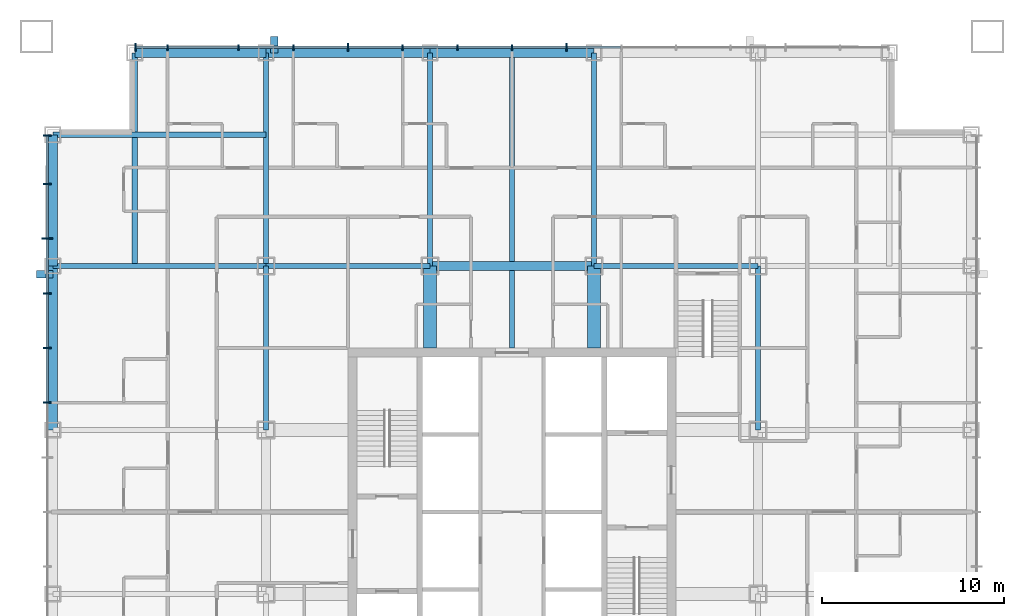
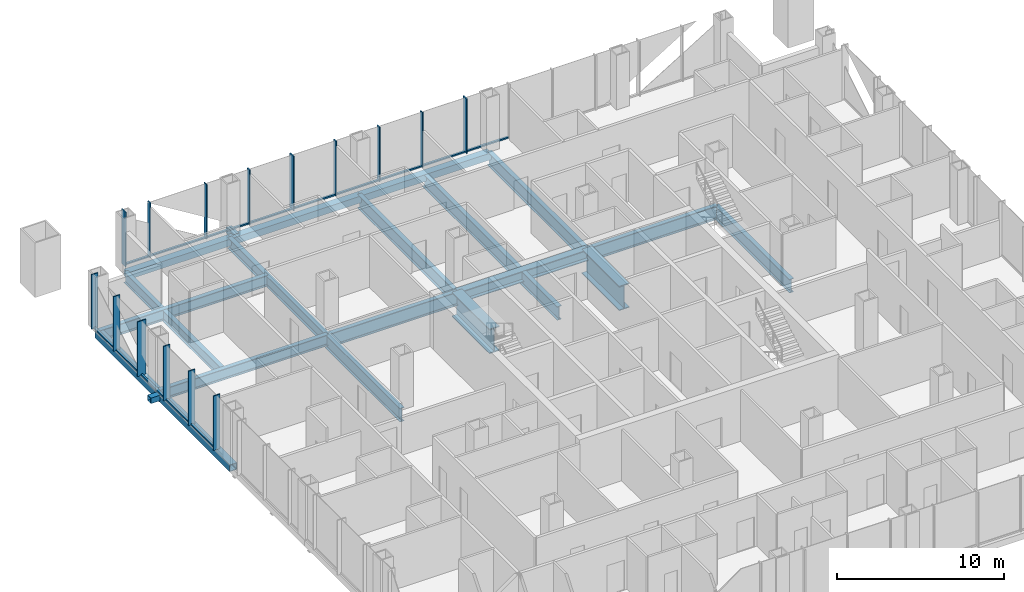
# One storey, part 4 of 17: 31 members, 19 beams, 2 elements without a shape of their own.
"""IFC4 building model written with IfcOpenShell, lengths in metres."""

from ifc_helpers import new_model, si_unit, direction, frame, origin, origin_2d, place, context, subcontext, project, spatial, rectangle, hollow_rectangle, i_section, extrude, material, layer, layer_set, material_profile, profile_set, type_object, element, aggregate, save


model = new_model("IFC4")

# Units and contexts
model_context = context("Model", 3, precision=1e-05, world=origin(), true_north=direction((0.0, 1.0)))
body_context = subcontext(model_context, "Body", "Model", "MODEL_VIEW")
ifc_project = project(units=[si_unit("LENGTHUNIT", "METRE"), si_unit("AREAUNIT", "SQUARE_METRE"), si_unit("VOLUMEUNIT", "CUBIC_METRE"), si_unit("PLANEANGLEUNIT", "RADIAN"), si_unit("MASSUNIT", "GRAM", prefix="KILO")], contexts=[model_context])

# Site, building, storey
site_placement = place(None, origin())
site = spatial("IfcSite", under=ifc_project, at=site_placement, CompositionType="ELEMENT")
building_placement = place(site_placement, origin())
building = spatial("IfcBuilding", under=site, at=building_placement, Name="Malebo Sky Hospital", CompositionType="ELEMENT")
storey_placement = place(building_placement, frame((0.0, 0.0, 55.0)))
storey = spatial("IfcBuildingStorey", under=building, at=storey_placement, Name="L12", CompositionType="ELEMENT", Elevation=55.0)

# Curtain wall, members
ifc_material_1 = material(Name="Anodised aluminium, natural silver", Category="aluminium")
ifc_layer_1 = layer(ifc_material_1, 0.25)
ifc_layer_set_1 = layer_set([ifc_layer_1], Name="WARD CURTAIN WALL NORTH AND SOUTH")
curtain_wall_type_1 = type_object("IfcCurtainWallType", Name="WARD CURTAIN WALL NORTH AND SOUTH", PredefinedType="NOTDEFINED", material=ifc_layer_set_1)
curtain_wall_1_placement = place(storey_placement, origin())
curtain_wall_1 = element("IfcCurtainWall", 1, at=curtain_wall_1_placement, inside=storey, type_object=curtain_wall_type_1, Name="NS curtain wall N", PredefinedType="NOTDEFINED")
ifc_material_profile_1 = material_profile(ifc_material_1, rectangle(XDim=0.14990234375, YDim=0.10009765625, at=origin_2d()), Name="ALUMINIUM TRANSOM 150x100")
ifc_profile_set_1 = profile_set([ifc_material_profile_1], Name="Anodised aluminium, natural silver")
member_type_1 = type_object("IfcMemberType", Name="ALUMINIUM TRANSOM 150x100", PredefinedType="USERDEFINED", material=ifc_profile_set_1)
member_1_placement = place(storey_placement, frame((39.375, 87.5, 0.050048828125), z_axis=(1.0, 0.0, 0.0), x_axis=(0.0, 1.0, 0.0)))
member_1 = element("IfcMember", 2, at=member_1_placement, type_object=member_type_1, Name="Transom 1", ObjectType="TRANSOM", PredefinedType="USERDEFINED", context=body_context, shape_type="SweptSolid", body=[
    extrude(rectangle(XDim=0.14990234375, YDim=0.10009765625, at=origin_2d()), origin(), (0.0, 0.0, 1.0), 1.6875),
])
member_2_placement = place(storey_placement, frame((41.137451171875, 87.5, 0.050048828125), z_axis=(1.0, 0.0, 0.0), x_axis=(0.0, 1.0, 0.0)))
member_2 = element("IfcMember", 3, at=member_2_placement, type_object=member_type_1, Name="Transom 2", ObjectType="TRANSOM", PredefinedType="USERDEFINED", context=body_context, shape_type="SweptSolid", body=[
    extrude(rectangle(XDim=0.14990234375, YDim=0.10009765625, at=origin_2d()), origin(), (0.0, 0.0, 1.0), 3.824951171875),
])
member_3_placement = place(storey_placement, frame((45.03759765625, 87.5, 0.050048828125), z_axis=(1.0, 0.0, 0.0), x_axis=(0.0, 1.0, 0.0)))
member_3 = element("IfcMember", 4, at=member_3_placement, type_object=member_type_1, Name="Transom 3", ObjectType="TRANSOM", PredefinedType="USERDEFINED", context=body_context, shape_type="SweptSolid", body=[
    extrude(rectangle(XDim=0.14990234375, YDim=0.10009765625, at=origin_2d()), origin(), (0.0, 0.0, 1.0), 2.9248046875),
])
member_4_placement = place(storey_placement, frame((48.03759765625, 87.5, 0.050048828125), z_axis=(1.0, 0.0, 0.0), x_axis=(0.0, 1.0, 0.0)))
member_4 = element("IfcMember", 5, at=member_4_placement, type_object=member_type_1, Name="Transom 4", ObjectType="TRANSOM", PredefinedType="USERDEFINED", context=body_context, shape_type="SweptSolid", body=[
    extrude(rectangle(XDim=0.14990234375, YDim=0.10009765625, at=origin_2d()), origin(), (0.0, 0.0, 1.0), 2.9248046875),
])
member_5_placement = place(storey_placement, frame((51.03759765625, 87.5, 0.050048828125), z_axis=(1.0, 0.0, 0.0), x_axis=(0.0, 1.0, 0.0)))
member_5 = element("IfcMember", 6, at=member_5_placement, type_object=member_type_1, Name="Transom 5", ObjectType="TRANSOM", PredefinedType="USERDEFINED", context=body_context, shape_type="SweptSolid", body=[
    extrude(rectangle(XDim=0.14990234375, YDim=0.10009765625, at=origin_2d()), origin(), (0.0, 0.0, 1.0), 2.9248046875),
])
member_6_placement = place(storey_placement, frame((54.03759765625, 87.5, 0.050048828125), z_axis=(1.0, 0.0, 0.0), x_axis=(0.0, 1.0, 0.0)))
member_6 = element("IfcMember", 7, at=member_6_placement, type_object=member_type_1, Name="Transom 6", ObjectType="TRANSOM", PredefinedType="USERDEFINED", context=body_context, shape_type="SweptSolid", body=[
    extrude(rectangle(XDim=0.14990234375, YDim=0.10009765625, at=origin_2d()), origin(), (0.0, 0.0, 1.0), 2.9248046875),
])
member_7_placement = place(storey_placement, frame((57.03759765625, 87.5, 0.050048828125), z_axis=(1.0, 0.0, 0.0), x_axis=(0.0, 1.0, 0.0)))
member_7 = element("IfcMember", 8, at=member_7_placement, type_object=member_type_1, Name="Transom 7", ObjectType="TRANSOM", PredefinedType="USERDEFINED", context=body_context, shape_type="SweptSolid", body=[
    extrude(rectangle(XDim=0.14990234375, YDim=0.10009765625, at=origin_2d()), origin(), (0.0, 0.0, 1.0), 2.9248046875),
])
member_8_placement = place(storey_placement, frame((60.03759765625, 87.5, 0.050048828125), z_axis=(1.0, 0.0, 0.0), x_axis=(0.0, 1.0, 0.0)))
member_8 = element("IfcMember", 9, at=member_8_placement, type_object=member_type_1, Name="Transom 8", ObjectType="TRANSOM", PredefinedType="USERDEFINED", context=body_context, shape_type="SweptSolid", body=[
    extrude(rectangle(XDim=0.14990234375, YDim=0.10009765625, at=origin_2d()), origin(), (0.0, 0.0, 1.0), 2.9248046875),
])
member_9_placement = place(storey_placement, frame((63.03759765625, 87.5, 0.050048828125), z_axis=(1.0, 0.0, 0.0), x_axis=(0.0, 1.0, 0.0)))
member_9 = element("IfcMember", 10, at=member_9_placement, type_object=member_type_1, Name="Transom 9", ObjectType="TRANSOM", PredefinedType="USERDEFINED", context=body_context, shape_type="SweptSolid", body=[
    extrude(rectangle(XDim=0.14990234375, YDim=0.10009765625, at=origin_2d()), origin(), (0.0, 0.0, 1.0), 2.9248046875),
])

ifc_layer_2 = layer(ifc_material_1, 0.25)
ifc_layer_set_2 = layer_set([ifc_layer_2], Name="WARD CURTAIN WALL EAST AND WEST")
curtain_wall_type_2 = type_object("IfcCurtainWallType", Name="WARD CURTAIN WALL EAST AND WEST", PredefinedType="NOTDEFINED", material=ifc_layer_set_2)
curtain_wall_2_placement = place(storey_placement, origin())
curtain_wall_2 = element("IfcCurtainWall", 11, at=curtain_wall_2_placement, inside=storey, type_object=curtain_wall_type_2, Name="EW curtain wall W", PredefinedType="NOTDEFINED")
member_10_placement = place(storey_placement, frame((34.5, 68.03759765625, 0.050048828125), z_axis=(0.0, 1.0, 0.0), x_axis=(-1.0, 0.0, 0.0)))
member_10 = element("IfcMember", 12, at=member_10_placement, type_object=member_type_1, Name="Transom 10", ObjectType="TRANSOM", PredefinedType="USERDEFINED", context=body_context, shape_type="SweptSolid", body=[
    extrude(rectangle(XDim=0.14990234375, YDim=0.10009765625, at=origin_2d()), origin(), (0.0, 0.0, 1.0), 2.9248046875),
])
member_11_placement = place(storey_placement, frame((34.5, 71.03759765625, 0.050048828125), z_axis=(0.0, 1.0, 0.0), x_axis=(-1.0, 0.0, 0.0)))
member_11 = element("IfcMember", 13, at=member_11_placement, type_object=member_type_1, Name="Transom 11", ObjectType="TRANSOM", PredefinedType="USERDEFINED", context=body_context, shape_type="SweptSolid", body=[
    extrude(rectangle(XDim=0.14990234375, YDim=0.10009765625, at=origin_2d()), origin(), (0.0, 0.0, 1.0), 2.9248046875),
])
member_12_placement = place(storey_placement, frame((34.5, 74.03759765625, 0.050048828125), z_axis=(0.0, 1.0, 0.0), x_axis=(-1.0, 0.0, 0.0)))
member_12 = element("IfcMember", 14, at=member_12_placement, type_object=member_type_1, Name="Transom 12", ObjectType="TRANSOM", PredefinedType="USERDEFINED", context=body_context, shape_type="SweptSolid", body=[
    extrude(rectangle(XDim=0.14990234375, YDim=0.10009765625, at=origin_2d()), origin(), (0.0, 0.0, 1.0), 2.9248046875),
])
member_13_placement = place(storey_placement, frame((34.5, 77.03759765625, 0.050048828125), z_axis=(0.0, 1.0, 0.0), x_axis=(-1.0, 0.0, 0.0)))
member_13 = element("IfcMember", 15, at=member_13_placement, type_object=member_type_1, Name="Transom 13", ObjectType="TRANSOM", PredefinedType="USERDEFINED", context=body_context, shape_type="SweptSolid", body=[
    extrude(rectangle(XDim=0.14990234375, YDim=0.10009765625, at=origin_2d()), origin(), (0.0, 0.0, 1.0), 2.9248046875),
])
member_14_placement = place(storey_placement, frame((34.5, 80.03759765625, 0.050048828125), z_axis=(0.0, 1.0, 0.0), x_axis=(-1.0, 0.0, 0.0)))
member_14 = element("IfcMember", 16, at=member_14_placement, type_object=member_type_1, Name="Transom 14", ObjectType="TRANSOM", PredefinedType="USERDEFINED", context=body_context, shape_type="SweptSolid", body=[
    extrude(rectangle(XDim=0.14990234375, YDim=0.10009765625, at=origin_2d()), origin(), (0.0, 0.0, 1.0), 2.58740234375),
])

# Members
ifc_material_2 = material(Name="Steel S355", Category="steel")
ifc_material_profile_2 = material_profile(ifc_material_2, hollow_rectangle(XDim=0.39990234375, YDim=0.39990234375, WallThickness=0.02001953125, at=origin_2d()), Name="SHS 400x20")
ifc_profile_set_2 = profile_set([ifc_material_profile_2], Name="Steel S355")
member_type_2 = type_object("IfcMemberType", Name="BRACE STRUT SHS 400x20", PredefinedType="STRUT", material=ifc_profile_set_2)
for number, where, z_axis, x_axis, name in (
    (17, (46.949951171875, 88.10009765625, -0.39990234375), (0.0, -1.0, 0.0), (1.0, 0.0, 0.0), "Brace strut AN1 L12"),
    (18, (33.89990234375, 75.050048828125, -0.39990234375), (1.0, 0.0, 0.0), (0.0, 1.0, 0.0), "Brace strut AW2 L12"),
):
    element("IfcMember", number, at=place(storey_placement, frame(where, z_axis=z_axis, x_axis=x_axis)), inside=storey, type_object=member_type_2, Name=name, PredefinedType="STRUT", context=body_context, shape_type="SweptSolid", body=[
        extrude(hollow_rectangle(XDim=0.39990234375, YDim=0.39990234375, WallThickness=0.02001953125, at=origin_2d()), origin(), (0.0, 0.0, 1.0), 0.900146484375),
    ])

# Member
ifc_material_profile_3 = material_profile(ifc_material_1, rectangle(XDim=0.074951171875, YDim=0.300048828125, at=origin_2d()), Name="CW1 ALUMINIUM FIN MULLION 75x300")
ifc_profile_set_3 = profile_set([ifc_material_profile_3], Name="Anodised aluminium, natural silver")
member_type_3 = type_object("IfcMemberType", Name="CW1 ALUMINIUM FIN MULLION 75x300", PredefinedType="MULLION", material=ifc_profile_set_3)
member_15_placement = place(storey_placement, frame((41.10009765625, 87.5, 0.0), z_axis=(0.0, 0.0, 1.0), x_axis=(1.0, 0.0, 0.0)))
member_15 = element("IfcMember", 19, at=member_15_placement, type_object=member_type_3, Name="Fin mullion 2", PredefinedType="MULLION", context=body_context, shape_type="SweptSolid", body=[
    extrude(rectangle(XDim=0.074951171875, YDim=0.300048828125, at=origin_2d()), origin(), (0.0, 0.0, 1.0), 4.0),
])

member_16_placement = place(storey_placement, frame((45.0, 87.5, 0.0), z_axis=(0.0, 0.0, 1.0), x_axis=(1.0, 0.0, 0.0)))
member_16 = element("IfcMember", 20, at=member_16_placement, type_object=member_type_3, Name="Fin mullion 3", PredefinedType="MULLION", context=body_context, shape_type="SweptSolid", body=[
    extrude(rectangle(XDim=0.074951171875, YDim=0.300048828125, at=origin_2d()), origin(), (0.0, 0.0, 1.0), 4.0),
])

member_17_placement = place(storey_placement, frame((48.0, 87.5, 0.0), z_axis=(0.0, 0.0, 1.0), x_axis=(1.0, 0.0, 0.0)))
member_17 = element("IfcMember", 21, at=member_17_placement, type_object=member_type_3, Name="Fin mullion 4", PredefinedType="MULLION", context=body_context, shape_type="SweptSolid", body=[
    extrude(rectangle(XDim=0.074951171875, YDim=0.300048828125, at=origin_2d()), origin(), (0.0, 0.0, 1.0), 4.0),
])

member_18_placement = place(storey_placement, frame((54.0, 87.5, 0.0), z_axis=(0.0, 0.0, 1.0), x_axis=(1.0, 0.0, 0.0)))
member_18 = element("IfcMember", 22, at=member_18_placement, type_object=member_type_3, Name="Fin mullion 6", PredefinedType="MULLION", context=body_context, shape_type="SweptSolid", body=[
    extrude(rectangle(XDim=0.074951171875, YDim=0.300048828125, at=origin_2d()), origin(), (0.0, 0.0, 1.0), 4.0),
])

member_19_placement = place(storey_placement, frame((57.0, 87.5, 0.0), z_axis=(0.0, 0.0, 1.0), x_axis=(1.0, 0.0, 0.0)))
member_19 = element("IfcMember", 23, at=member_19_placement, type_object=member_type_3, Name="Fin mullion 7", PredefinedType="MULLION", context=body_context, shape_type="SweptSolid", body=[
    extrude(rectangle(XDim=0.074951171875, YDim=0.300048828125, at=origin_2d()), origin(), (0.0, 0.0, 1.0), 4.0),
])

member_20_placement = place(storey_placement, frame((60.0, 87.5, 0.0), z_axis=(0.0, 0.0, 1.0), x_axis=(1.0, 0.0, 0.0)))
member_20 = element("IfcMember", 24, at=member_20_placement, type_object=member_type_3, Name="Fin mullion 8", PredefinedType="MULLION", context=body_context, shape_type="SweptSolid", body=[
    extrude(rectangle(XDim=0.074951171875, YDim=0.300048828125, at=origin_2d()), origin(), (0.0, 0.0, 1.0), 4.0),
])

ifc_material_profile_4 = material_profile(ifc_material_1, rectangle(XDim=0.074951171875, YDim=0.449951171875, at=origin_2d()), Name="CW1 ALUMINIUM FIN MULLION 75x450")
ifc_profile_set_4 = profile_set([ifc_material_profile_4], Name="Anodised aluminium, natural silver")
member_type_4 = type_object("IfcMemberType", Name="CW1 ALUMINIUM FIN MULLION 75x450", PredefinedType="MULLION", material=ifc_profile_set_4)
member_21_placement = place(storey_placement, frame((39.33740234375, 87.5, 0.0), z_axis=(0.0, 0.0, 1.0), x_axis=(1.0, 0.0, 0.0)))
member_21 = element("IfcMember", 25, at=member_21_placement, type_object=member_type_4, Name="Fin mullion 1", PredefinedType="MULLION", context=body_context, shape_type="SweptSolid", body=[
    extrude(rectangle(XDim=0.074951171875, YDim=0.449951171875, at=origin_2d()), origin(), (0.0, 0.0, 1.0), 4.0),
])

member_22_placement = place(storey_placement, frame((51.0, 87.5, 0.0), z_axis=(0.0, 0.0, 1.0), x_axis=(1.0, 0.0, 0.0)))
member_22 = element("IfcMember", 26, at=member_22_placement, type_object=member_type_4, Name="Fin mullion 5", PredefinedType="MULLION", context=body_context, shape_type="SweptSolid", body=[
    extrude(rectangle(XDim=0.074951171875, YDim=0.449951171875, at=origin_2d()), origin(), (0.0, 0.0, 1.0), 4.0),
])

member_23_placement = place(storey_placement, frame((63.0, 87.5, 0.0), z_axis=(0.0, 0.0, 1.0), x_axis=(1.0, 0.0, 0.0)))
member_23 = element("IfcMember", 27, at=member_23_placement, type_object=member_type_4, Name="Fin mullion 9", PredefinedType="MULLION", context=body_context, shape_type="SweptSolid", body=[
    extrude(rectangle(XDim=0.074951171875, YDim=0.449951171875, at=origin_2d()), origin(), (0.0, 0.0, 1.0), 4.0),
])

aggregate(curtain_wall_1, [member_21, member_15, member_16, member_17, member_22, member_18, member_19, member_20, member_23, member_1, member_2, member_3, member_4, member_5, member_6, member_7, member_8, member_9])

ifc_material_profile_5 = material_profile(ifc_material_1, rectangle(XDim=0.074951171875, YDim=0.449951171875, at=origin_2d()), Name="CW2 ALUMINIUM FIN MULLION 75x450")
ifc_profile_set_5 = profile_set([ifc_material_profile_5], Name="Anodised aluminium, natural silver")
member_type_5 = type_object("IfcMemberType", Name="CW2 ALUMINIUM FIN MULLION 75x450", PredefinedType="MULLION", material=ifc_profile_set_5)
member_24_placement = place(storey_placement, frame((34.5, 68.0, 0.0), z_axis=(0.0, 0.0, 1.0), x_axis=(0.0, 1.0, 0.0)))
member_24 = element("IfcMember", 28, at=member_24_placement, type_object=member_type_5, Name="Fin mullion 10", PredefinedType="MULLION", context=body_context, shape_type="SweptSolid", body=[
    extrude(rectangle(XDim=0.074951171875, YDim=0.449951171875, at=origin_2d()), origin(), (0.0, 0.0, 1.0), 4.0),
])

member_25_placement = place(storey_placement, frame((34.5, 71.0, 0.0), z_axis=(0.0, 0.0, 1.0), x_axis=(0.0, 1.0, 0.0)))
member_25 = element("IfcMember", 29, at=member_25_placement, type_object=member_type_5, Name="Fin mullion 11", PredefinedType="MULLION", context=body_context, shape_type="SweptSolid", body=[
    extrude(rectangle(XDim=0.074951171875, YDim=0.449951171875, at=origin_2d()), origin(), (0.0, 0.0, 1.0), 4.0),
])

member_26_placement = place(storey_placement, frame((34.5, 74.0, 0.0), z_axis=(0.0, 0.0, 1.0), x_axis=(0.0, 1.0, 0.0)))
member_26 = element("IfcMember", 30, at=member_26_placement, type_object=member_type_5, Name="Fin mullion 12", PredefinedType="MULLION", context=body_context, shape_type="SweptSolid", body=[
    extrude(rectangle(XDim=0.074951171875, YDim=0.449951171875, at=origin_2d()), origin(), (0.0, 0.0, 1.0), 4.0),
])

member_27_placement = place(storey_placement, frame((34.5, 80.0, 0.0), z_axis=(0.0, 0.0, 1.0), x_axis=(0.0, 1.0, 0.0)))
member_27 = element("IfcMember", 31, at=member_27_placement, type_object=member_type_5, Name="Fin mullion 14", PredefinedType="MULLION", context=body_context, shape_type="SweptSolid", body=[
    extrude(rectangle(XDim=0.074951171875, YDim=0.449951171875, at=origin_2d()), origin(), (0.0, 0.0, 1.0), 4.0),
])

member_28_placement = place(storey_placement, frame((34.5, 82.66259765625, 0.0), z_axis=(0.0, 0.0, 1.0), x_axis=(0.0, 1.0, 0.0)))
member_28 = element("IfcMember", 32, at=member_28_placement, type_object=member_type_5, Name="Fin mullion 15", PredefinedType="MULLION", context=body_context, shape_type="SweptSolid", body=[
    extrude(rectangle(XDim=0.074951171875, YDim=0.449951171875, at=origin_2d()), origin(), (0.0, 0.0, 1.0), 4.0),
])

ifc_material_profile_6 = material_profile(ifc_material_1, rectangle(XDim=0.074951171875, YDim=0.60009765625, at=origin_2d()), Name="CW2 ALUMINIUM FIN MULLION 75x600")
ifc_profile_set_6 = profile_set([ifc_material_profile_6], Name="Anodised aluminium, natural silver")
member_type_6 = type_object("IfcMemberType", Name="CW2 ALUMINIUM FIN MULLION 75x600", PredefinedType="MULLION", material=ifc_profile_set_6)
member_29_placement = place(storey_placement, frame((34.5, 77.0, 0.0), z_axis=(0.0, 0.0, 1.0), x_axis=(0.0, 1.0, 0.0)))
member_29 = element("IfcMember", 33, at=member_29_placement, type_object=member_type_6, Name="Fin mullion 13", PredefinedType="MULLION", context=body_context, shape_type="SweptSolid", body=[
    extrude(rectangle(XDim=0.074951171875, YDim=0.60009765625, at=origin_2d()), origin(), (0.0, 0.0, 1.0), 4.0),
])

aggregate(curtain_wall_2, [member_24, member_25, member_26, member_29, member_27, member_28, member_10, member_11, member_12, member_13, member_14])

# Beams
ifc_material_3 = material(Name="Steel S460", Category="steel")
ifc_material_profile_7 = material_profile(ifc_material_3, hollow_rectangle(XDim=0.5, YDim=0.5, WallThickness=0.030029296875, at=origin_2d()), Name="BOX 500x500x30")
ifc_profile_set_7 = profile_set([ifc_material_profile_7], Name="Steel S460")
beam_type_1 = type_object("IfcBeamType", Name="EDGE BEAM BOX 500x500x30", PredefinedType="BEAM", material=ifc_profile_set_7)
beam_1_placement = place(storey_placement, frame((34.800048828125, 66.5, -0.5), z_axis=(0.0, 1.0, 0.0), x_axis=(-1.0, 0.0, 0.0)))
element("IfcBeam", 34, at=beam_1_placement, inside=storey, type_object=beam_type_1, Name="Beam 003 L12", PredefinedType="BEAM", context=body_context, shape_type="SweptSolid", body=[
    extrude(hollow_rectangle(XDim=0.5, YDim=0.5, WallThickness=0.030029296875, at=origin_2d()), origin(), (0.0, 0.0, 1.0), 9.0),
])
for number, where, z_axis, x_axis, name in (
    (35, (34.800048828125, 75.5, -0.5), (0.0, 1.0, 0.0), (-1.0, 0.0, 0.0), "Beam 004 L12"),
    (36, (39.300048828125, 87.199951171875, -0.5), (1.0, 0.0, 0.0), (0.0, 1.0, 0.0), "Beam 063 L12"),
):
    element("IfcBeam", number, at=place(storey_placement, frame(where, z_axis=z_axis, x_axis=x_axis)), inside=storey, type_object=beam_type_1, Name=name, PredefinedType="BEAM", context=body_context, shape_type="SweptSolid", body=[
        extrude(hollow_rectangle(XDim=0.5, YDim=0.5, WallThickness=0.030029296875, at=origin_2d()), origin(), (0.0, 0.0, 1.0), 7.199951171875),
    ])
for number, where, z_axis, x_axis, name in (
    (37, (46.5, 87.199951171875, -0.5), (1.0, 0.0, 0.0), (0.0, 1.0, 0.0), "Beam 064 L12"),
    (38, (55.5, 87.199951171875, -0.5), (1.0, 0.0, 0.0), (0.0, 1.0, 0.0), "Beam 065 L12"),
):
    element("IfcBeam", number, at=place(storey_placement, frame(where, z_axis=z_axis, x_axis=x_axis)), inside=storey, type_object=beam_type_1, Name=name, PredefinedType="BEAM", context=body_context, shape_type="SweptSolid", body=[
        extrude(hollow_rectangle(XDim=0.5, YDim=0.5, WallThickness=0.030029296875, at=origin_2d()), origin(), (0.0, 0.0, 1.0), 9.0),
    ])
ifc_material_profile_8 = material_profile(ifc_material_2, i_section(OverallWidth=0.300048828125, OverallDepth=1.0, WebThickness=0.01904296875, FlangeThickness=0.035888671875, FilletRadius=0.030029296875, at=origin_2d()), Name="HEB 1000")
ifc_profile_set_8 = profile_set([ifc_material_profile_8], Name="Steel S355")
beam_type_2 = type_object("IfcBeamType", Name="FLOOR BEAM HEB 1000", PredefinedType="BEAM", material=ifc_profile_set_8)
beam_2_placement = place(storey_placement, frame((46.5, 66.5, -0.75), z_axis=(0.0, 1.0, 0.0), x_axis=(-1.0, 0.0, 0.0)))
element("IfcBeam", 39, at=beam_2_placement, inside=storey, type_object=beam_type_2, Name="Beam 010 L12", PredefinedType="BEAM", context=body_context, shape_type="SweptSolid", body=[
    extrude(i_section(OverallWidth=0.300048828125, OverallDepth=1.0, WebThickness=0.01904296875, FlangeThickness=0.035888671875, FilletRadius=0.030029296875, at=origin_2d()), origin(), (0.0, 0.0, 1.0), 9.0),
])
beam_3_placement = place(storey_placement, frame((55.5, 75.5, -0.75), z_axis=(0.0, 1.0, 0.0), x_axis=(-1.0, 0.0, 0.0)))
element("IfcBeam", 40, at=beam_3_placement, inside=storey, type_object=beam_type_2, Name="Beam 015 L12", PredefinedType="BEAM", context=body_context, shape_type="SweptSolid", body=[
    extrude(i_section(OverallWidth=0.300048828125, OverallDepth=1.0, WebThickness=0.01904296875, FlangeThickness=0.035888671875, FilletRadius=0.030029296875, at=origin_2d()), origin(), (0.0, 0.0, 1.0), 11.699951171875),
])
beam_4_placement = place(storey_placement, frame((60.0, 71.0, -0.75), z_axis=(0.0, 1.0, 0.0), x_axis=(-1.0, 0.0, 0.0)))
element("IfcBeam", 41, at=beam_4_placement, inside=storey, type_object=beam_type_2, Name="Beam 017 L12", PredefinedType="BEAM", context=body_context, shape_type="SweptSolid", body=[
    extrude(i_section(OverallWidth=0.300048828125, OverallDepth=1.0, WebThickness=0.01904296875, FlangeThickness=0.035888671875, FilletRadius=0.030029296875, at=origin_2d()), origin(), (0.0, 0.0, 1.0), 16.199951171875),
])
beam_5_placement = place(storey_placement, frame((64.5, 75.5, -0.75), z_axis=(0.0, 1.0, 0.0), x_axis=(-1.0, 0.0, 0.0)))
element("IfcBeam", 42, at=beam_5_placement, inside=storey, type_object=beam_type_2, Name="Beam 021 L12", PredefinedType="BEAM", context=body_context, shape_type="SweptSolid", body=[
    extrude(i_section(OverallWidth=0.300048828125, OverallDepth=1.0, WebThickness=0.01904296875, FlangeThickness=0.035888671875, FilletRadius=0.030029296875, at=origin_2d()), origin(), (0.0, 0.0, 1.0), 11.699951171875),
])
for number, where, z_axis, x_axis, name in (
    (43, (73.5, 66.5, -0.75), (0.0, 1.0, 0.0), (-1.0, 0.0, 0.0), "Beam 025 L12"),
    (44, (46.5, 75.5, -0.75), (1.0, 0.0, 0.0), (0.0, 1.0, 0.0), "Beam 057 L12"),
    (45, (64.5, 75.5, -0.75), (1.0, 0.0, 0.0), (0.0, 1.0, 0.0), "Beam 059 L12"),
):
    element("IfcBeam", number, at=place(storey_placement, frame(where, z_axis=z_axis, x_axis=x_axis)), inside=storey, type_object=beam_type_2, Name=name, PredefinedType="BEAM", context=body_context, shape_type="SweptSolid", body=[
        extrude(i_section(OverallWidth=0.300048828125, OverallDepth=1.0, WebThickness=0.01904296875, FlangeThickness=0.035888671875, FilletRadius=0.030029296875, at=origin_2d()), origin(), (0.0, 0.0, 1.0), 9.0),
    ])
ifc_material_profile_9 = material_profile(ifc_material_2, i_section(OverallWidth=0.300048828125, OverallDepth=0.800048828125, WebThickness=0.017578125, FlangeThickness=0.032958984375, FilletRadius=0.030029296875, at=origin_2d()), Name="HEB 800")
ifc_profile_set_9 = profile_set([ifc_material_profile_9], Name="Steel S355")
beam_type_3 = type_object("IfcBeamType", Name="FLOOR BEAM HEB 800", PredefinedType="BEAM", material=ifc_profile_set_9)
for number, where, z_axis, x_axis, name in (
    (46, (39.300048828125, 75.5, -0.64990234375), (0.0, 1.0, 0.0), (-1.0, 0.0, 0.0), "Beam 006 L12"),
    (47, (34.800048828125, 82.699951171875, -0.64990234375), (1.0, 0.0, 0.0), (0.0, 1.0, 0.0), "Beam 061 L12"),
):
    element("IfcBeam", number, at=place(storey_placement, frame(where, z_axis=z_axis, x_axis=x_axis)), inside=storey, type_object=beam_type_3, Name=name, PredefinedType="BEAM", context=body_context, shape_type="SweptSolid", body=[
        extrude(i_section(OverallWidth=0.300048828125, OverallDepth=0.800048828125, WebThickness=0.017578125, FlangeThickness=0.032958984375, FilletRadius=0.030029296875, at=origin_2d()), origin(), (0.0, 0.0, 1.0), 11.699951171875),
    ])
ifc_material_profile_10 = material_profile(ifc_material_2, i_section(OverallWidth=0.699951171875, OverallDepth=1.800048828125, WebThickness=0.034912109375, FlangeThickness=0.070068359375, at=origin_2d()), Name="PG 1800x700x35x70")
ifc_profile_set_10 = profile_set([ifc_material_profile_10], Name="Steel S355")
beam_type_4 = type_object("IfcBeamType", Name="FLOOR BEAM PG 1800x700x35x70", PredefinedType="BEAM", material=ifc_profile_set_10)
for number, where, z_axis, x_axis, name in (
    (48, (55.5, 71.0, -1.14990234375), (0.0, 1.0, 0.0), (-1.0, 0.0, 0.0), "Beam 014 L12"),
    (49, (64.5, 71.0, -1.14990234375), (0.0, 1.0, 0.0), (-1.0, 0.0, 0.0), "Beam 020 L12"),
):
    element("IfcBeam", number, at=place(storey_placement, frame(where, z_axis=z_axis, x_axis=x_axis)), inside=storey, type_object=beam_type_4, Name=name, PredefinedType="BEAM", context=body_context, shape_type="SweptSolid", body=[
        extrude(i_section(OverallWidth=0.699951171875, OverallDepth=1.800048828125, WebThickness=0.034912109375, FlangeThickness=0.070068359375, at=origin_2d()), origin(), (0.0, 0.0, 1.0), 4.5),
    ])
ifc_material_profile_11 = material_profile(ifc_material_2, i_section(OverallWidth=0.300048828125, OverallDepth=0.800048828125, WebThickness=0.017578125, FlangeThickness=0.032958984375, FilletRadius=0.030029296875, at=origin_2d()), Name="HEB 800")
ifc_profile_set_11 = profile_set([ifc_material_profile_11], Name="Steel S355")
beam_type_5 = type_object("IfcBeamType", Name="FLOOR GIRDER HEB 800", PredefinedType="BEAM", material=ifc_profile_set_11)
for number, where, z_axis, x_axis, name in (
    (50, (46.5, 75.5, -0.64990234375), (0.0, 1.0, 0.0), (-1.0, 0.0, 0.0), "Beam 011 L12"),
    (51, (34.800048828125, 75.5, -0.64990234375), (1.0, 0.0, 0.0), (0.0, 1.0, 0.0), "Beam 056 L12"),
):
    element("IfcBeam", number, at=place(storey_placement, frame(where, z_axis=z_axis, x_axis=x_axis)), inside=storey, type_object=beam_type_5, Name=name, PredefinedType="BEAM", context=body_context, shape_type="SweptSolid", body=[
        extrude(i_section(OverallWidth=0.300048828125, OverallDepth=0.800048828125, WebThickness=0.017578125, FlangeThickness=0.032958984375, FilletRadius=0.030029296875, at=origin_2d()), origin(), (0.0, 0.0, 1.0), 11.699951171875),
    ])
ifc_material_profile_12 = material_profile(ifc_material_2, i_section(OverallWidth=0.5, OverallDepth=0.800048828125, WebThickness=0.030029296875, FlangeThickness=0.050048828125, at=origin_2d()), Name="PG 800x500x30x50")
ifc_profile_set_12 = profile_set([ifc_material_profile_12], Name="Steel S355")
beam_type_6 = type_object("IfcBeamType", Name="RING GIRDER PG 800x500x30x50", PredefinedType="BEAM", material=ifc_profile_set_12)
beam_6_placement = place(storey_placement, frame((55.5, 75.5, -0.64990234375), z_axis=(1.0, 0.0, 0.0), x_axis=(0.0, 1.0, 0.0)))
element("IfcBeam", 52, at=beam_6_placement, inside=storey, type_object=beam_type_6, Name="Beam 058 L12", PredefinedType="BEAM", context=body_context, shape_type="SweptSolid", body=[
    extrude(i_section(OverallWidth=0.5, OverallDepth=0.800048828125, WebThickness=0.030029296875, FlangeThickness=0.050048828125, at=origin_2d()), origin(), (0.0, 0.0, 1.0), 9.0),
])

save(model, "model.ifc")
